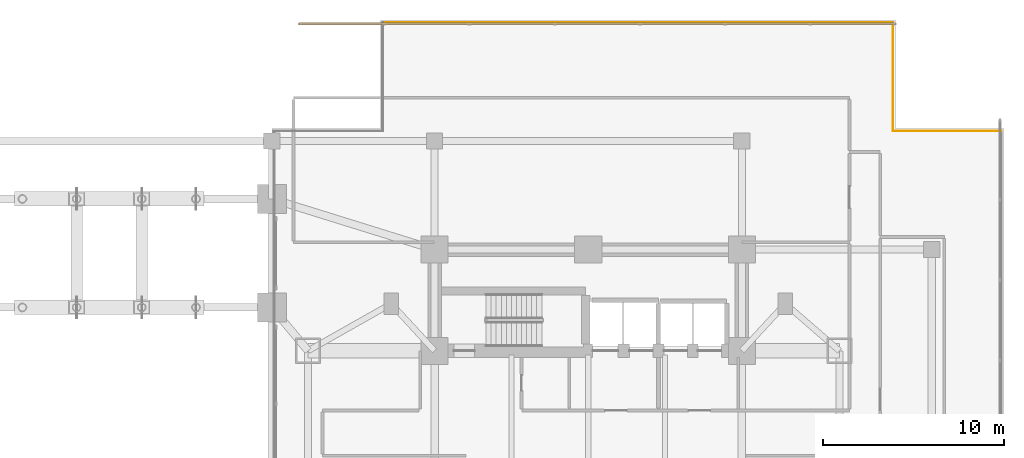
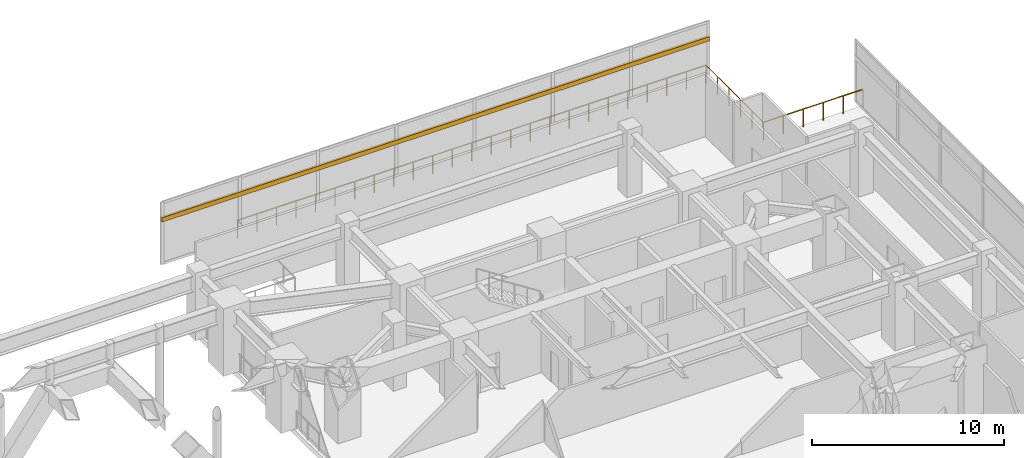
# One storey, part 30 of 30: 3 railings, 1 shading device.
"""IFC4 building model written with IfcOpenShell, lengths in metres."""

import ifcopenshell
import ifcopenshell.guid

model = None  # the IFC model being written
_history = None  # IfcOwnerHistory: only IFC2X3 demands one
_inside = {}  # id of a spatial element -> (the spatial element, [elements in it])
_under = {}  # id of a project, library or spatial element -> (it, [spatial elements below it])
_declared = {}  # id of a project -> (the project, [libraries it declares])
_typed = {}  # id of a type object -> (the type object, [elements of that type])
_made_of = {}  # id of a material, layer set ... -> (it, [elements and type objects made of it])


def new_model(schema):
    """Start an empty IFC model of exactly this schema.

    Asked for "IFC4X3", IfcOpenShell would pick the latest addendum, in which some entities
    have other attributes; the version numbers below select the first issue.
    IFC2X3 requires an IfcOwnerHistory on every rooted entity: one is made here for all.
    """
    global model, _history
    if schema == "IFC4X3":
        model = ifcopenshell.file(schema_version=(4, 3, 0, 0))
    else:
        model = ifcopenshell.file(schema=schema)
    _inside.clear()
    _under.clear()
    _declared.clear()
    _typed.clear()
    _made_of.clear()
    _history = None
    if model.schema == "IFC2X3":
        org = make("IfcOrganization", Name="unknown")
        user = make(
            "IfcPersonAndOrganization",
            ThePerson=make("IfcPerson", FamilyName="unknown"),
            TheOrganization=org,
        )
        app = make(
            "IfcApplication",
            ApplicationDeveloper=org,
            Version="unknown",
            ApplicationFullName="unknown",
            ApplicationIdentifier="unknown",
        )
        _history = make(
            "IfcOwnerHistory",
            OwningUser=user,
            OwningApplication=app,
            ChangeAction="ADDED",
            CreationDate=0,
        )
    return model


def make(cls, **values):
    """One entity of the class cls with the attributes given. An attribute that is None is left unset."""
    return model.create_entity(
        cls, **{name: value for name, value in values.items() if value is not None}
    )


def rooted(cls, **values):
    """An entity with a GlobalId (a new one), such as an element, a storey or a relation."""
    return make(cls, GlobalId=ifcopenshell.guid.new(), OwnerHistory=_history, **values)


def si_unit(unit_type, name, prefix=None):
    """IfcSIUnit, for example si_unit("LENGTHUNIT", "METRE", prefix="MILLI")."""
    return make("IfcSIUnit", UnitType=unit_type, Prefix=prefix, Name=name)


def assignment(units):
    """IfcUnitAssignment: the units of a project."""
    return None if units is None else make("IfcUnitAssignment", Units=units)


def point(xyz):
    """IfcCartesianPoint."""
    return None if xyz is None else make("IfcCartesianPoint", Coordinates=xyz)


def direction(xyz):
    """IfcDirection."""
    return None if xyz is None else make("IfcDirection", DirectionRatios=xyz)


def frame(location, z_axis=None, x_axis=None):
    """IfcAxis2Placement3D, a coordinate frame: its origin and axes. An axis left out is left unset."""
    return make(
        "IfcAxis2Placement3D",
        Location=point(location),
        Axis=direction(z_axis),
        RefDirection=direction(x_axis),
    )


def frame_2d(location, x_axis=None):
    """IfcAxis2Placement2D, a coordinate frame in the plane: its origin and x axis."""
    return make(
        "IfcAxis2Placement2D", Location=point(location), RefDirection=direction(x_axis)
    )


def origin():
    """The frame at (0, 0, 0) with its axes left unset."""
    return frame((0.0, 0.0, 0.0))


def origin_2d():
    """The frame at (0, 0) in the plane with its x axis left unset."""
    return frame_2d((0.0, 0.0))


def place(relative_to, where):
    """IfcLocalPlacement: puts the frame where relative to a parent placement (None: the world)."""
    return make(
        "IfcLocalPlacement", PlacementRelTo=relative_to, RelativePlacement=where
    )


def context(
    kind, dimensions, precision=None, world=None, true_north=None, identifier=None
):
    """IfcGeometricRepresentationContext, for example the 3D "Model" context."""
    return make(
        "IfcGeometricRepresentationContext",
        ContextIdentifier=identifier,
        ContextType=kind,
        CoordinateSpaceDimension=dimensions,
        Precision=precision,
        WorldCoordinateSystem=world,
        TrueNorth=true_north,
    )


def subcontext(parent, identifier, kind, view, scale=None):
    """IfcGeometricRepresentationSubContext, for example "Body" below "Model"."""
    return make(
        "IfcGeometricRepresentationSubContext",
        ContextIdentifier=identifier,
        ContextType=kind,
        ParentContext=parent,
        TargetScale=scale,
        TargetView=view,
    )


def project(units=None, contexts=None):
    """IfcProject with its units and contexts."""
    return rooted(
        "IfcProject",
        Name="project",
        RepresentationContexts=contexts,
        UnitsInContext=assignment(units),
    )


def spatial(cls, under=None, at=None, **own):
    """A site, building, storey or space (cls), placed at a placement, below another one or the project."""
    s = rooted(cls, ObjectPlacement=at, **own)
    if under is not None:
        _under.setdefault(under.id(), (under, []))[1].append(s)
    return s


def profile(cls, at=None, kind="AREA", **sizes):
    """A parametric profile (cls). Its sizes go by their IFC names, for example OverallWidth=200.0."""
    return make(cls, ProfileType=kind, Position=at, **sizes)


def rectangle(**sizes):
    """IfcRectangleProfileDef."""
    return profile("IfcRectangleProfileDef", **sizes)


def circle(**sizes):
    """IfcCircleProfileDef."""
    return profile("IfcCircleProfileDef", **sizes)


def extrude(swept, where, along, depth):
    """IfcExtrudedAreaSolid: the profile swept, set in the frame where, extruded along a direction by depth."""
    return make(
        "IfcExtrudedAreaSolid",
        SweptArea=swept,
        Position=where,
        ExtrudedDirection=direction(along),
        Depth=depth,
    )


def shape(context_of_items, identifier, shape_type, items):
    """IfcShapeRepresentation: the items that make up one representation, for example the "Body"."""
    return make(
        "IfcShapeRepresentation",
        ContextOfItems=context_of_items,
        RepresentationIdentifier=identifier,
        RepresentationType=shape_type,
        Items=items,
    )


def material(Name=None, Category=None):
    """IfcMaterial."""
    return make("IfcMaterial", Name=Name, Category=Category)


def material_profile(
    of_material, cross_section, Name=None, Category=None, Priority=None
):
    """IfcMaterialProfile: a cross section and its material."""
    return make(
        "IfcMaterialProfile",
        Name=Name,
        Material=of_material,
        Profile=cross_section,
        Priority=Priority,
        Category=Category,
    )


def profile_set(profiles, Name=None, composite=None):
    """IfcMaterialProfileSet."""
    return make(
        "IfcMaterialProfileSet",
        Name=Name,
        MaterialProfiles=profiles,
        CompositeProfile=composite,
    )


def made_of(thing, what):
    """Note that an element or type object is made of a material, layer set ...; save() writes the relation."""
    if what is not None:
        _made_of.setdefault(what.id(), (what, []))[1].append(thing)
    return thing


def type_object(cls, material=None, **own):
    """A type object (cls), such as IfcWallType, which elements share."""
    return made_of(rooted(cls, **own), material)


def element(
    cls,
    number,
    at=None,
    inside=None,
    cuts=None,
    type_object=None,
    material=None,
    context=None,
    identifier="Body",
    shape_type=None,
    held_by="IfcProductDefinitionShape",
    body=None,
    shapes=None,
    **own,
):
    """One element of the class cls, such as IfcWall. Its Tag is "e" and its number.

    at: its placement. inside: the storey or other place that contains it. cuts: it is an
    opening in that element (IfcRelVoidsElement). A single representation is given by context,
    identifier, shape_type and body (its items); several are given by shapes. held_by: the class
    of the entity that holds the representations. save() writes the other relations.
    """
    e = rooted(cls, Tag="e%d" % number, ObjectPlacement=at, **own)
    if body is not None:
        shapes = [shape(context, identifier, shape_type, body)]
    if shapes is not None:
        e.Representation = make(held_by, Representations=shapes)
    if inside is not None:
        _inside.setdefault(inside.id(), (inside, []))[1].append(e)
    if cuts is not None:
        rooted(
            "IfcRelVoidsElement", RelatingBuildingElement=cuts, RelatedOpeningElement=e
        )
    if type_object is not None:
        _typed.setdefault(type_object.id(), (type_object, []))[1].append(e)
    return made_of(e, material)


def aggregate(whole, parts):
    """IfcRelAggregates: a whole, such as a stair, and the parts it consists of."""
    return rooted("IfcRelAggregates", RelatingObject=whole, RelatedObjects=parts)


def save(model, path):
    """Write the relations noted so far, then the file.

    IfcRelAggregates (storeys below a building ...), IfcRelContainedInSpatialStructure (elements
    in a storey), IfcRelDefinesByType, IfcRelAssociatesMaterial and IfcRelDeclares: one each for
    every whole, place, type object, material and project.
    """
    for whole, parts in _under.values():
        aggregate(whole, parts)
    for where, things in _inside.values():
        rooted(
            "IfcRelContainedInSpatialStructure",
            RelatedElements=things,
            RelatingStructure=where,
        )
    for kind, things in _typed.values():
        rooted("IfcRelDefinesByType", RelatedObjects=things, RelatingType=kind)
    for what, things in _made_of.values():
        rooted("IfcRelAssociatesMaterial", RelatedObjects=things, RelatingMaterial=what)
    for by, libraries in _declared.values():
        rooted("IfcRelDeclares", RelatingContext=by, RelatedDefinitions=libraries)
    model.write(path)


model = new_model("IFC4")

# Units and contexts
model_context = context("Model", 3, precision=1e-05, world=origin(), true_north=direction((0.0, 1.0)))
body_context = subcontext(model_context, "Body", "Model", "MODEL_VIEW")
ifc_project = project(units=[si_unit("LENGTHUNIT", "METRE"), si_unit("AREAUNIT", "SQUARE_METRE"), si_unit("VOLUMEUNIT", "CUBIC_METRE"), si_unit("PLANEANGLEUNIT", "RADIAN"), si_unit("MASSUNIT", "GRAM", prefix="KILO")], contexts=[model_context])

# Site, building, storey
site_placement = place(None, origin())
site = spatial("IfcSite", under=ifc_project, at=site_placement, CompositionType="ELEMENT")
building_placement = place(site_placement, origin())
building = spatial("IfcBuilding", under=site, at=building_placement, Name="Mirazonda Arch Towers", CompositionType="ELEMENT")
storey_placement = place(building_placement, frame((0.0, 0.0, 9.5)))
storey = spatial("IfcBuildingStorey", under=building, at=storey_placement, Name="L02", CompositionType="ELEMENT", Elevation=9.5)

# Shading device
ifc_material_1 = material(Name="Kiln-Fired Architectural Terracotta", Category="masonry")
ifc_material_profile = material_profile(ifc_material_1, rectangle(XDim=0.139892578125, YDim=0.280029296875, at=origin_2d()), Name="TERRA-BAG-140x280")
ifc_profile_set = profile_set([ifc_material_profile], Name="Kiln-Fired Architectural Terracotta")
shading_device_type = type_object("IfcShadingDeviceType", Name="BAGUETTE-3", PredefinedType="USERDEFINED", material=ifc_profile_set)
shading_device_placement = place(storey_placement, frame((60.5, 53.280029296875, 2.851318359375), z_axis=(1.0, 0.0, 0.0), x_axis=(0.0, 1.0, 0.0)))
element("IfcShadingDevice", 1, at=shading_device_placement, inside=storey, type_object=shading_device_type, Name="L02 Glazed Terracotta Sun-Screen Baguette CW-L02-EN", ObjectType="BAGUETTE", PredefinedType="USERDEFINED", context=body_context, shape_type="SweptSolid", body=[
    extrude(rectangle(XDim=0.139892578125, YDim=0.280029296875, at=origin_2d()), origin(), (0.0, 0.0, 1.0), 33.0),
])

# Railings
ifc_material_2 = material(Name="Architectural Brushed Steel S355", Category="steel")
railing_type = type_object("IfcRailingType", Name="GUARD-EXT-1150", PredefinedType="GUARDRAIL", material=ifc_material_2)
railing_1_placement = place(storey_placement, frame((99.360107421875, 47.360107421875, 0.0)))
element("IfcRailing", 2, at=railing_1_placement, inside=storey, type_object=railing_type, Name="L02 L02 East Podium Perimeter Guard 05", PredefinedType="GUARDRAIL", context=body_context, shape_type="SweptSolid", body=[
    extrude(circle(Radius=0.02392578125, at=origin_2d()), frame((0.0, 0.0, 1.1259765625), z_axis=(-1.0, 0.0, 0.0), x_axis=(0.0, -1.0, 0.0)), (0.0, 0.0, 1.0), 6.0),
    extrude(circle(Radius=0.02099609375, at=origin_2d()), origin(), (0.0, 0.0, 1.0), 1.101806640625),
    extrude(circle(Radius=0.02099609375, at=origin_2d()), frame((-1.199951171875, 0.0, 0.0)), (0.0, 0.0, 1.0), 1.101806640625),
    extrude(circle(Radius=0.02099609375, at=origin_2d()), frame((-2.39990234375, 0.0, 0.0)), (0.0, 0.0, 1.0), 1.101806640625),
    extrude(circle(Radius=0.02099609375, at=origin_2d()), frame((-3.60009765625, 0.0, 0.0)), (0.0, 0.0, 1.0), 1.101806640625),
    extrude(circle(Radius=0.02099609375, at=origin_2d()), frame((-4.800048828125, 0.0, 0.0)), (0.0, 0.0, 1.0), 1.101806640625),
    extrude(circle(Radius=0.02099609375, at=origin_2d()), frame((-6.0, 0.0, 0.0)), (0.0, 0.0, 1.0), 1.101806640625),
])
railing_2_placement = place(storey_placement, frame((93.360107421875, 47.360107421875, 0.0)))
element("IfcRailing", 3, at=railing_2_placement, inside=storey, type_object=railing_type, Name="L02 L02 East Podium Perimeter Guard 06", PredefinedType="GUARDRAIL", context=body_context, shape_type="SweptSolid", body=[
    extrude(circle(Radius=0.02392578125, at=origin_2d()), frame((0.0, 0.0, 1.1259765625), z_axis=(0.0, 1.0, 0.0), x_axis=(-1.0, 0.0, 0.0)), (0.0, 0.0, 1.0), 6.0),
    extrude(circle(Radius=0.02099609375, at=origin_2d()), origin(), (0.0, 0.0, 1.0), 1.101806640625),
    extrude(circle(Radius=0.02099609375, at=origin_2d()), frame((0.0, 1.199951171875, 0.0)), (0.0, 0.0, 1.0), 1.101806640625),
    extrude(circle(Radius=0.02099609375, at=origin_2d()), frame((0.0, 2.39990234375, 0.0)), (0.0, 0.0, 1.0), 1.101806640625),
    extrude(circle(Radius=0.02099609375, at=origin_2d()), frame((0.0, 3.60009765625, 0.0)), (0.0, 0.0, 1.0), 1.101806640625),
    extrude(circle(Radius=0.02099609375, at=origin_2d()), frame((0.0, 4.800048828125, 0.0)), (0.0, 0.0, 1.0), 1.101806640625),
    extrude(circle(Radius=0.02099609375, at=origin_2d()), frame((0.0, 6.0, 0.0)), (0.0, 0.0, 1.0), 1.101806640625),
])
railing_3_placement = place(storey_placement, frame((93.360107421875, 53.360107421875, 0.0)))
element("IfcRailing", 4, at=railing_3_placement, inside=storey, type_object=railing_type, Name="L02 L02 East Podium Perimeter Guard 07", PredefinedType="GUARDRAIL", context=body_context, shape_type="SweptSolid", body=[
    extrude(circle(Radius=0.02392578125, at=origin_2d()), frame((0.0, 0.0, 1.1259765625), z_axis=(-1.0, 0.0, 0.0), x_axis=(0.0, -1.0, 0.0)), (0.0, 0.0, 1.0), 28.22021484375),
    extrude(circle(Radius=0.02099609375, at=origin_2d()), origin(), (0.0, 0.0, 1.0), 1.101806640625),
    extrude(circle(Radius=0.02099609375, at=origin_2d()), frame((-1.17578125, 0.0, 0.0)), (0.0, 0.0, 1.0), 1.101806640625),
    extrude(circle(Radius=0.02099609375, at=origin_2d()), frame((-2.3515625, 0.0, 0.0)), (0.0, 0.0, 1.0), 1.101806640625),
    extrude(circle(Radius=0.02099609375, at=origin_2d()), frame((-3.527587890625, 0.0, 0.0)), (0.0, 0.0, 1.0), 1.101806640625),
    extrude(circle(Radius=0.02099609375, at=origin_2d()), frame((-4.703369140625, 0.0, 0.0)), (0.0, 0.0, 1.0), 1.101806640625),
    extrude(circle(Radius=0.02099609375, at=origin_2d()), frame((-5.879150390625, 0.0, 0.0)), (0.0, 0.0, 1.0), 1.101806640625),
    extrude(circle(Radius=0.02099609375, at=origin_2d()), frame((-7.05517578125, 0.0, 0.0)), (0.0, 0.0, 1.0), 1.101806640625),
    extrude(circle(Radius=0.02099609375, at=origin_2d()), frame((-8.23095703125, 0.0, 0.0)), (0.0, 0.0, 1.0), 1.101806640625),
    extrude(circle(Radius=0.02099609375, at=origin_2d()), frame((-9.40673828125, 0.0, 0.0)), (0.0, 0.0, 1.0), 1.101806640625),
    extrude(circle(Radius=0.02099609375, at=origin_2d()), frame((-10.58251953125, 0.0, 0.0)), (0.0, 0.0, 1.0), 1.101806640625),
    extrude(circle(Radius=0.02099609375, at=origin_2d()), frame((-11.75830078125, 0.0, 0.0)), (0.0, 0.0, 1.0), 1.101806640625),
    extrude(circle(Radius=0.02099609375, at=origin_2d()), frame((-12.934326171875, 0.0, 0.0)), (0.0, 0.0, 1.0), 1.101806640625),
    extrude(circle(Radius=0.02099609375, at=origin_2d()), frame((-14.110107421875, 0.0, 0.0)), (0.0, 0.0, 1.0), 1.101806640625),
    extrude(circle(Radius=0.02099609375, at=origin_2d()), frame((-15.285888671875, 0.0, 0.0)), (0.0, 0.0, 1.0), 1.101806640625),
    extrude(circle(Radius=0.02099609375, at=origin_2d()), frame((-16.4619140625, 0.0, 0.0)), (0.0, 0.0, 1.0), 1.101806640625),
    extrude(circle(Radius=0.02099609375, at=origin_2d()), frame((-17.6376953125, 0.0, 0.0)), (0.0, 0.0, 1.0), 1.101806640625),
    extrude(circle(Radius=0.02099609375, at=origin_2d()), frame((-18.8134765625, 0.0, 0.0)), (0.0, 0.0, 1.0), 1.101806640625),
    extrude(circle(Radius=0.02099609375, at=origin_2d()), frame((-19.9892578125, 0.0, 0.0)), (0.0, 0.0, 1.0), 1.101806640625),
    extrude(circle(Radius=0.02099609375, at=origin_2d()), frame((-21.1650390625, 0.0, 0.0)), (0.0, 0.0, 1.0), 1.101806640625),
    extrude(circle(Radius=0.02099609375, at=origin_2d()), frame((-22.341064453125, 0.0, 0.0)), (0.0, 0.0, 1.0), 1.101806640625),
    extrude(circle(Radius=0.02099609375, at=origin_2d()), frame((-23.516845703125, 0.0, 0.0)), (0.0, 0.0, 1.0), 1.101806640625),
    extrude(circle(Radius=0.02099609375, at=origin_2d()), frame((-24.692626953125, 0.0, 0.0)), (0.0, 0.0, 1.0), 1.101806640625),
    extrude(circle(Radius=0.02099609375, at=origin_2d()), frame((-25.86865234375, 0.0, 0.0)), (0.0, 0.0, 1.0), 1.101806640625),
    extrude(circle(Radius=0.02099609375, at=origin_2d()), frame((-27.04443359375, 0.0, 0.0)), (0.0, 0.0, 1.0), 1.101806640625),
    extrude(circle(Radius=0.02099609375, at=origin_2d()), frame((-28.22021484375, 0.0, 0.0)), (0.0, 0.0, 1.0), 1.101806640625),
])

save(model, "model.ifc")
